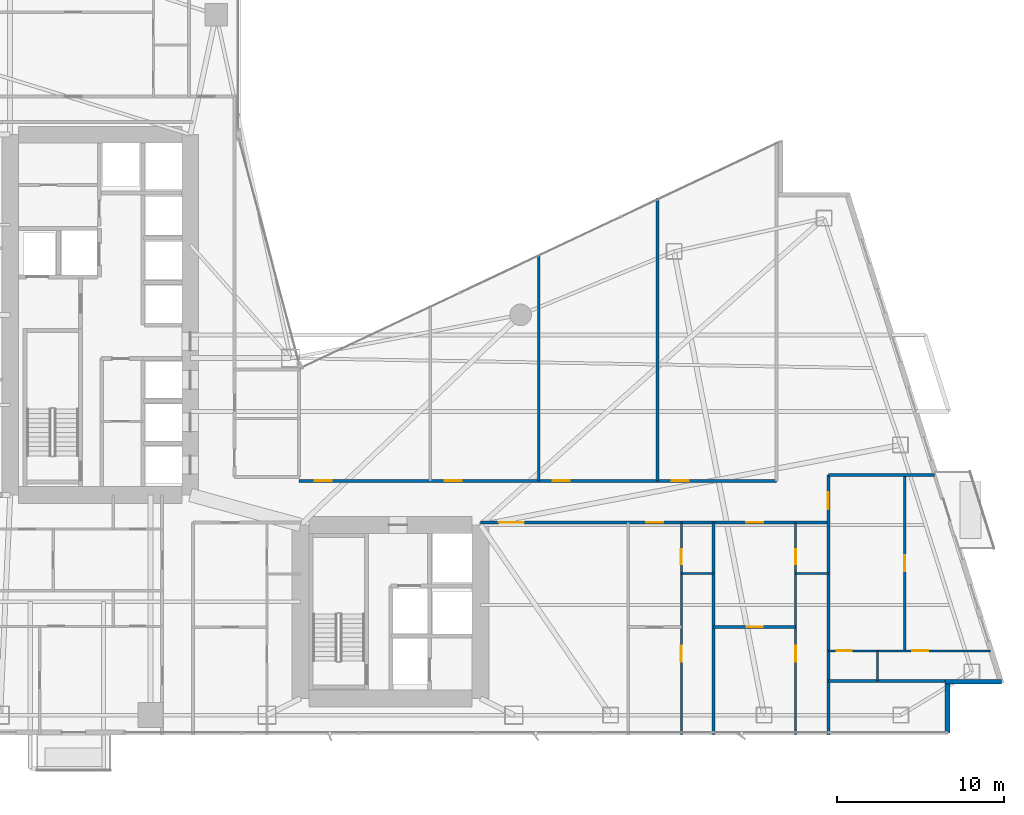
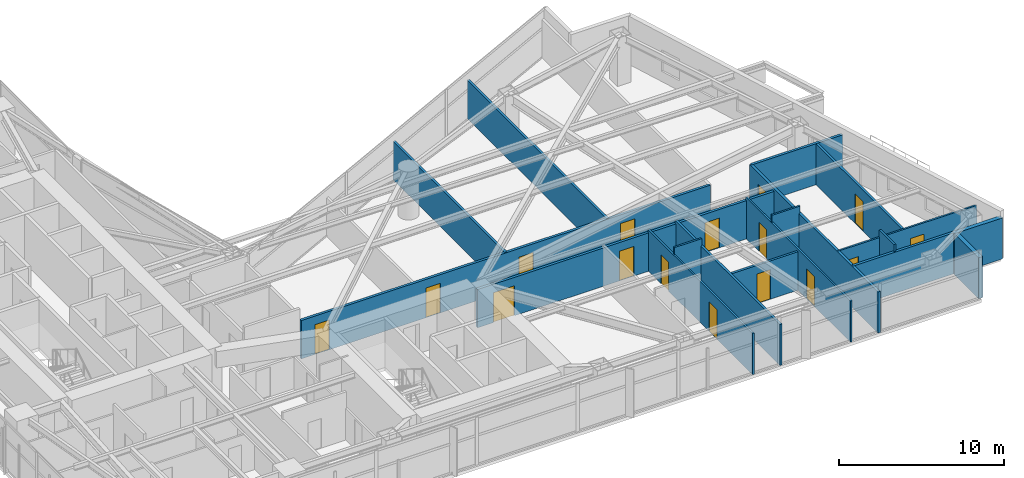
# One storey, part 24 of 29: 18 walls, 16 doors, 16 openings.
"""IFC4 building model written with IfcOpenShell, lengths in metres."""

from ifc_helpers import new_model, si_unit, direction, frame, frame_2d, origin, place, context, subcontext, project, spatial, rectangle, extrude, material, layer, layer_set, type_object, element, fill, save


model = new_model("IFC4")

# Units and contexts
model_context = context("Model", 3, precision=1e-05, world=origin(), true_north=direction((0.0, 1.0)))
body_context = subcontext(model_context, "Body", "Model", "MODEL_VIEW")
ifc_project = project(units=[si_unit("LENGTHUNIT", "METRE"), si_unit("AREAUNIT", "SQUARE_METRE"), si_unit("VOLUMEUNIT", "CUBIC_METRE"), si_unit("PLANEANGLEUNIT", "RADIAN"), si_unit("MASSUNIT", "GRAM", prefix="KILO")], contexts=[model_context])

# Site, building, storey
site_placement = place(None, origin())
site = spatial("IfcSite", under=ifc_project, at=site_placement, CompositionType="ELEMENT")
building_placement = place(site_placement, origin())
building = spatial("IfcBuilding", under=site, at=building_placement, Name="Calvorn Quay Hotel", CompositionType="ELEMENT")
storey_placement = place(building_placement, frame((0.0, 0.0, 85.0)))
storey = spatial("IfcBuildingStorey", under=building, at=storey_placement, Name="L20", CompositionType="ELEMENT", Elevation=85.0)

# Wall, openings, doors
ifc_material_1 = material(Name="Acoustic Fireboard Steel-Stud Partition", Category="steel")
ifc_layer_1 = layer(ifc_material_1, 0.179931640625)
ifc_layer_set_1 = layer_set([ifc_layer_1], Name="WL-CORR-FIRE-180")
wall_type_1 = type_object("IfcWallType", Name="WL-CORR-FIRE-180", PredefinedType="PARTITIONING", material=ifc_layer_set_1)
wall_1_placement = place(storey_placement, frame((32.39990234375, 15.14990234375, 0.0), z_axis=(0.0, 0.0, 1.0), x_axis=(1.0, 0.0, 0.0)))
wall_1 = element("IfcWall", 1, at=wall_1_placement, inside=storey, type_object=wall_type_1, Name="Partition Wall L20-WL-CORR-SE-S", PredefinedType="PARTITIONING", context=body_context, shape_type="SweptSolid", body=[
    extrude(rectangle(XDim=20.85009765625, YDim=0.179931640625, at=frame_2d((10.425048828125, 0.0))), origin(), (0.0, 0.0, 1.0), 2.840087890625),
])
opening_1_placement = place(wall_1_placement, frame((1.10009765625, 0.0, 0.0)))
opening_1 = element("IfcOpeningElement", 2, at=opening_1_placement, cuts=wall_1, Name="Opening D-L20-SEM", PredefinedType="OPENING", context=body_context, shape_type="SweptSolid", body=[
    extrude(rectangle(XDim=1.5, YDim=2.219970703125, at=frame_2d((0.75, 1.10986328125))), frame((0.0, 0.099853515625, 0.0), z_axis=(0.0, -1.0, 0.0), x_axis=(1.0, 0.0, 0.0)), (0.0, 0.0, 1.0), 0.199951171875),
])
opening_2_placement = place(wall_1_placement, frame((9.93994140625, 0.0, 0.0)))
opening_2 = element("IfcOpeningElement", 3, at=opening_2_placement, cuts=wall_1, Name="Opening D-L20-U05", PredefinedType="OPENING", context=body_context, shape_type="SweptSolid", body=[
    extrude(rectangle(XDim=1.02001953125, YDim=2.199951171875, at=frame_2d((0.510009765625, 1.10009765625))), frame((0.0, 0.099853515625, 0.0), z_axis=(0.0, -1.0, 0.0), x_axis=(1.0, 0.0, 0.0)), (0.0, 0.0, 1.0), 0.199951171875),
])
opening_3_placement = place(wall_1_placement, frame((15.919921875, 0.0, 0.0)))
opening_3 = element("IfcOpeningElement", 4, at=opening_3_placement, cuts=wall_1, Name="Opening D-L20-U06", PredefinedType="OPENING", context=body_context, shape_type="SweptSolid", body=[
    extrude(rectangle(XDim=1.02001953125, YDim=2.199951171875, at=frame_2d((0.510009765625, 1.10009765625))), frame((0.0, 0.099853515625, 0.0), z_axis=(0.0, -1.0, 0.0), x_axis=(1.0, 0.0, 0.0)), (0.0, 0.0, 1.0), 0.199951171875),
])
ifc_material_2 = material(Name="Solid-Core Walnut Veneer Hotel Fire Door")
door_type_1 = type_object("IfcDoorType", Name="DR-GUEST-ENTRY-1020", OperationType="NOTDEFINED", PredefinedType="DOOR", material=ifc_material_2)
door_1_placement = place(opening_2_placement, origin())
door_1 = element("IfcDoor", 5, at=door_1_placement, inside=storey, type_object=door_type_1, Name="South-East Unit Door U05 (L20)", OperationType="SINGLE_SWING_RIGHT", OverallHeight=2.199951171875, OverallWidth=1.02001953125, PredefinedType="DOOR", context=body_context, shape_type="SweptSolid", body=[
    extrude(rectangle(XDim=1.02001953125, YDim=2.199951171875, at=frame_2d((0.510009765625, 1.10009765625))), frame((0.0, 0.02490234375, 0.0), z_axis=(0.0, -1.0, 0.0), x_axis=(1.0, 0.0, 0.0)), (0.0, 0.0, 1.0), 0.050048828125),
])
fill(opening_2, door_1)
door_2_placement = place(opening_3_placement, origin())
door_2 = element("IfcDoor", 6, at=door_2_placement, inside=storey, type_object=door_type_1, Name="South-East Unit Door U06 (L20)", OperationType="SINGLE_SWING_LEFT", OverallHeight=2.199951171875, OverallWidth=1.02001953125, PredefinedType="DOOR", context=body_context, shape_type="SweptSolid", body=[
    extrude(rectangle(XDim=1.02001953125, YDim=2.199951171875, at=frame_2d((0.510009765625, 1.10009765625))), frame((0.0, 0.02490234375, 0.0), z_axis=(0.0, -1.0, 0.0), x_axis=(1.0, 0.0, 0.0)), (0.0, 0.0, 1.0), 0.050048828125),
])
fill(opening_3, door_2)
ifc_material_3 = material(Name="Solid-Core Walnut Double Suite Entry Door")
door_type_2 = type_object("IfcDoorType", Name="DR-SUITE-DBL-1500", OperationType="NOTDEFINED", PredefinedType="DOOR", material=ifc_material_3)
door_3_placement = place(opening_1_placement, origin())
door_3 = element("IfcDoor", 7, at=door_3_placement, inside=storey, type_object=door_type_2, Name="Conference Salon Door (L20)", OperationType="SINGLE_SWING_LEFT", OverallHeight=2.219970703125, OverallWidth=1.5, PredefinedType="DOOR", context=body_context, shape_type="SweptSolid", body=[
    extrude(rectangle(XDim=1.5, YDim=2.219970703125, at=frame_2d((0.75, 1.10986328125))), frame((0.0, 0.02490234375, 0.0), z_axis=(0.0, -1.0, 0.0), x_axis=(1.0, 0.0, 0.0)), (0.0, 0.0, 1.0), 0.050048828125),
])
fill(opening_1, door_3)

wall_2_placement = place(storey_placement, frame((21.5, 17.64990234375, 0.0), z_axis=(0.0, 0.0, 1.0), x_axis=(1.0, 0.0, 0.0)))
wall_2 = element("IfcWall", 8, at=wall_2_placement, inside=storey, type_object=wall_type_1, Name="Partition Wall L20-WL-CORR-NE-N", PredefinedType="PARTITIONING", context=body_context, shape_type="SweptSolid", body=[
    extrude(rectangle(XDim=28.64990234375, YDim=0.179931640625, at=frame_2d((14.324951171875, 0.0))), origin(), (0.0, 0.0, 1.0), 2.840087890625),
])
opening_4_placement = place(wall_2_placement, frame((0.949951171875, 0.0, 0.0)))
opening_4 = element("IfcOpeningElement", 9, at=opening_4_placement, cuts=wall_2, Name="Opening D-L20-NS1", PredefinedType="OPENING", context=body_context, shape_type="SweptSolid", body=[
    extrude(rectangle(XDim=1.02001953125, YDim=2.199951171875, at=frame_2d((0.510009765625, 1.10009765625))), frame((0.0, 0.099853515625, 0.0), z_axis=(0.0, -1.0, 0.0), x_axis=(1.0, 0.0, 0.0)), (0.0, 0.0, 1.0), 0.199951171875),
])
opening_5_placement = place(wall_2_placement, frame((8.739990234375, 0.0, 0.0)))
opening_5 = element("IfcOpeningElement", 10, at=opening_5_placement, cuts=wall_2, Name="Opening D-L20-NS2", PredefinedType="OPENING", context=body_context, shape_type="SweptSolid", body=[
    extrude(rectangle(XDim=1.02001953125, YDim=2.199951171875, at=frame_2d((0.510009765625, 1.10009765625))), frame((0.0, 0.099853515625, 0.0), z_axis=(0.0, -1.0, 0.0), x_axis=(1.0, 0.0, 0.0)), (0.0, 0.0, 1.0), 0.199951171875),
])
opening_6_placement = place(wall_2_placement, frame((15.22998046875, 0.0, 0.0)))
opening_6 = element("IfcOpeningElement", 11, at=opening_6_placement, cuts=wall_2, Name="Opening D-L20-NS3", PredefinedType="OPENING", context=body_context, shape_type="SweptSolid", body=[
    extrude(rectangle(XDim=1.02001953125, YDim=2.199951171875, at=frame_2d((0.510009765625, 1.10009765625))), frame((0.0, 0.099853515625, 0.0), z_axis=(0.0, -1.0, 0.0), x_axis=(1.0, 0.0, 0.0)), (0.0, 0.0, 1.0), 0.199951171875),
])
opening_7_placement = place(wall_2_placement, frame((22.360107421875, 0.0, 0.0)))
opening_7 = element("IfcOpeningElement", 12, at=opening_7_placement, cuts=wall_2, Name="Opening D-L20-NS4", PredefinedType="OPENING", context=body_context, shape_type="SweptSolid", body=[
    extrude(rectangle(XDim=1.02001953125, YDim=2.199951171875, at=frame_2d((0.510009765625, 1.10009765625))), frame((0.0, 0.099853515625, 0.0), z_axis=(0.0, -1.0, 0.0), x_axis=(1.0, 0.0, 0.0)), (0.0, 0.0, 1.0), 0.199951171875),
])
door_4_placement = place(opening_4_placement, origin())
door_4 = element("IfcDoor", 13, at=door_4_placement, inside=storey, type_object=door_type_1, Name="Conservatory Salon Door 1 (L20)", OperationType="SINGLE_SWING_RIGHT", OverallHeight=2.199951171875, OverallWidth=1.02001953125, PredefinedType="DOOR", context=body_context, shape_type="SweptSolid", body=[
    extrude(rectangle(XDim=1.02001953125, YDim=2.199951171875, at=frame_2d((0.510009765625, 1.10009765625))), frame((0.0, 0.02490234375, 0.0), z_axis=(0.0, -1.0, 0.0), x_axis=(1.0, 0.0, 0.0)), (0.0, 0.0, 1.0), 0.050048828125),
])
fill(opening_4, door_4)
door_5_placement = place(opening_5_placement, origin())
door_5 = element("IfcDoor", 14, at=door_5_placement, inside=storey, type_object=door_type_1, Name="Conservatory Salon Door 2 (L20)", OperationType="SINGLE_SWING_LEFT", OverallHeight=2.199951171875, OverallWidth=1.02001953125, PredefinedType="DOOR", context=body_context, shape_type="SweptSolid", body=[
    extrude(rectangle(XDim=1.02001953125, YDim=2.199951171875, at=frame_2d((0.510009765625, 1.10009765625))), frame((0.0, 0.02490234375, 0.0), z_axis=(0.0, -1.0, 0.0), x_axis=(1.0, 0.0, 0.0)), (0.0, 0.0, 1.0), 0.050048828125),
])
fill(opening_5, door_5)
door_6_placement = place(opening_6_placement, origin())
door_6 = element("IfcDoor", 15, at=door_6_placement, inside=storey, type_object=door_type_1, Name="Conservatory Salon Door 3 (L20)", OperationType="SINGLE_SWING_RIGHT", OverallHeight=2.199951171875, OverallWidth=1.02001953125, PredefinedType="DOOR", context=body_context, shape_type="SweptSolid", body=[
    extrude(rectangle(XDim=1.02001953125, YDim=2.199951171875, at=frame_2d((0.510009765625, 1.10009765625))), frame((0.0, 0.02490234375, 0.0), z_axis=(0.0, -1.0, 0.0), x_axis=(1.0, 0.0, 0.0)), (0.0, 0.0, 1.0), 0.050048828125),
])
fill(opening_6, door_6)
door_7_placement = place(opening_7_placement, origin())
door_7 = element("IfcDoor", 16, at=door_7_placement, inside=storey, type_object=door_type_1, Name="Conservatory Salon Door 4 (L20)", OperationType="SINGLE_SWING_LEFT", OverallHeight=2.199951171875, OverallWidth=1.02001953125, PredefinedType="DOOR", context=body_context, shape_type="SweptSolid", body=[
    extrude(rectangle(XDim=1.02001953125, YDim=2.199951171875, at=frame_2d((0.510009765625, 1.10009765625))), frame((0.0, 0.02490234375, 0.0), z_axis=(0.0, -1.0, 0.0), x_axis=(1.0, 0.0, 0.0)), (0.0, 0.0, 1.0), 0.050048828125),
])
fill(opening_7, door_7)

# Walls
wall_3_placement = place(storey_placement, frame((53.25, 5.659912109375, 0.0), z_axis=(0.0, 0.0, 1.0), x_axis=(1.0, 0.0, 0.0)))
element("IfcWall", 17, at=wall_3_placement, inside=storey, type_object=wall_type_1, Name="Partition Wall L20-WL-TIP-S", PredefinedType="PARTITIONING", context=body_context, shape_type="SweptSolid", body=[
    extrude(rectangle(XDim=7.14990234375, YDim=0.179931640625, at=frame_2d((3.574951171875, 0.0))), origin(), (0.0, 0.0, 1.0), 3.0400390625),
])
wall_4_placement = place(storey_placement, frame((53.25, 18.0, 0.0), z_axis=(0.0, 0.0, 1.0), x_axis=(1.0, 0.0, 0.0)))
element("IfcWall", 18, at=wall_4_placement, inside=storey, type_object=wall_type_1, Name="Partition Wall L20-WL-TIP-DIV", PredefinedType="PARTITIONING", context=body_context, shape_type="SweptSolid", body=[
    extrude(rectangle(XDim=6.3798828125, YDim=0.179931640625, at=frame_2d((3.18994140625, 0.0))), origin(), (0.0, 0.0, 1.0), 3.0400390625),
])

# Wall, opening, door
wall_5_placement = place(storey_placement, frame((53.25, 2.43994140625, 0.0), z_axis=(0.0, 0.0, 1.0), x_axis=(0.0, 1.0, 0.0)))
wall_5 = element("IfcWall", 19, at=wall_5_placement, inside=storey, type_object=wall_type_1, Name="Partition Wall L20-WL-CORR-TIP-E1", PredefinedType="PARTITIONING", context=body_context, shape_type="SweptSolid", body=[
    extrude(rectangle(XDim=15.56005859375, YDim=0.179931640625, at=frame_2d((7.780029296875, 0.0))), origin(), (0.0, 0.0, 1.0), 3.0400390625),
])
opening_8_placement = place(wall_5_placement, frame((13.510009765625, 0.0, 0.0)))
opening_8 = element("IfcOpeningElement", 20, at=opening_8_placement, cuts=wall_5, Name="Opening D-L20-U07", PredefinedType="OPENING", context=body_context, shape_type="SweptSolid", body=[
    extrude(rectangle(XDim=1.02001953125, YDim=2.199951171875, at=frame_2d((0.510009765625, 1.10009765625))), frame((0.0, 0.099853515625, 0.0), z_axis=(0.0, -1.0, 0.0), x_axis=(1.0, 0.0, 0.0)), (0.0, 0.0, 1.0), 0.199951171875),
])
door_8_placement = place(opening_8_placement, origin())
door_8 = element("IfcDoor", 21, at=door_8_placement, inside=storey, type_object=door_type_1, Name="Terrace Suite Door U07 (L20)", OperationType="SINGLE_SWING_LEFT", OverallHeight=2.199951171875, OverallWidth=1.02001953125, PredefinedType="DOOR", context=body_context, shape_type="SweptSolid", body=[
    extrude(rectangle(XDim=1.02001953125, YDim=2.199951171875, at=frame_2d((0.510009765625, 1.10009765625))), frame((0.0, 0.02490234375, 0.0), z_axis=(0.0, -1.0, 0.0), x_axis=(1.0, 0.0, 0.0)), (0.0, 0.0, 1.0), 0.050048828125),
])
fill(opening_8, door_8)

# Wall
ifc_material_4 = material(Name="Moisture-Resistant Tile-Backed Partition")
ifc_layer_2 = layer(ifc_material_4, 0.125)
ifc_layer_set_2 = layer_set([ifc_layer_2], Name="WL-ENSUITE-125")
wall_type_2 = type_object("IfcWallType", Name="WL-ENSUITE-125", PredefinedType="PARTITIONING", material=ifc_layer_set_2)
wall_6_placement = place(storey_placement, frame((44.43994140625, 12.10009765625, 0.0), z_axis=(0.0, 0.0, 1.0), x_axis=(1.0, 0.0, 0.0)))
element("IfcWall", 22, at=wall_6_placement, inside=storey, type_object=wall_type_2, Name="Partition Wall L20-WL-U05-BDV", PredefinedType="PARTITIONING", context=body_context, shape_type="SweptSolid", body=[
    extrude(rectangle(XDim=1.93017578125, YDim=0.125, at=frame_2d((0.965087890625, 0.0))), origin(), (0.0, 0.0, 1.0), 3.56005859375),
])

# Wall, openings, doors
wall_7_placement = place(storey_placement, frame((44.43994140625, 2.43994140625, 0.0), z_axis=(0.0, 0.0, 1.0), x_axis=(0.0, 1.0, 0.0)))
wall_7 = element("IfcWall", 23, at=wall_7_placement, inside=storey, type_object=wall_type_2, Name="Partition Wall L20-WL-U05-BV", PredefinedType="PARTITIONING", context=body_context, shape_type="SweptSolid", body=[
    extrude(rectangle(XDim=12.7099609375, YDim=0.125, at=frame_2d((6.35498046875, 0.0))), origin(), (0.0, 0.0, 1.0), 3.0400390625),
])
opening_9_placement = place(wall_7_placement, frame((4.35009765625, 0.0, 0.0)))
opening_9 = element("IfcOpeningElement", 24, at=opening_9_placement, cuts=wall_7, Name="Opening D-L20-S05", PredefinedType="OPENING", context=body_context, shape_type="SweptSolid", body=[
    extrude(rectangle(XDim=0.9599609375, YDim=2.199951171875, at=frame_2d((0.47998046875, 1.10009765625))), frame((0.0, 0.072509765625, 0.0), z_axis=(0.0, -1.0, 0.0), x_axis=(1.0, 0.0, 0.0)), (0.0, 0.0, 1.0), 0.14501953125),
])
opening_10_placement = place(wall_7_placement, frame((10.2099609375, 0.0, 0.0)))
opening_10 = element("IfcOpeningElement", 25, at=opening_10_placement, cuts=wall_7, Name="Opening D-L20-E05", PredefinedType="OPENING", context=body_context, shape_type="SweptSolid", body=[
    extrude(rectangle(XDim=0.89990234375, YDim=2.14990234375, at=frame_2d((0.449951171875, 1.074951171875))), frame((0.0, 0.072509765625, 0.0), z_axis=(0.0, -1.0, 0.0), x_axis=(1.0, 0.0, 0.0)), (0.0, 0.0, 1.0), 0.14501953125),
])
ifc_material_5 = material(Name="Moisture-Sealed Timber En-Suite Door", Category="wood")
door_type_3 = type_object("IfcDoorType", Name="DR-ENSUITE-900", OperationType="NOTDEFINED", PredefinedType="DOOR", material=ifc_material_5)
door_9_placement = place(opening_10_placement, origin())
door_9 = element("IfcDoor", 26, at=door_9_placement, inside=storey, type_object=door_type_3, Name="En-Suite Door 05", OperationType="SINGLE_SWING_RIGHT", OverallHeight=2.14990234375, OverallWidth=0.89990234375, PredefinedType="DOOR", context=body_context, shape_type="SweptSolid", body=[
    extrude(rectangle(XDim=0.89990234375, YDim=2.14990234375, at=frame_2d((0.449951171875, 1.074951171875))), frame((0.0, 0.02490234375, 0.0), z_axis=(0.0, -1.0, 0.0), x_axis=(1.0, 0.0, 0.0)), (0.0, 0.0, 1.0), 0.050048828125),
])
fill(opening_10, door_9)
ifc_material_6 = material(Name="Solid Timber Internal Suite Door", Category="wood")
door_type_4 = type_object("IfcDoorType", Name="DR-SUITE-INT-960", OperationType="NOTDEFINED", PredefinedType="DOOR", material=ifc_material_6)
door_10_placement = place(opening_9_placement, origin())
door_10 = element("IfcDoor", 27, at=door_10_placement, inside=storey, type_object=door_type_4, Name="Private Media Cinema Door 05", OperationType="SINGLE_SWING_LEFT", OverallHeight=2.199951171875, OverallWidth=0.9599609375, PredefinedType="DOOR", context=body_context, shape_type="SweptSolid", body=[
    extrude(rectangle(XDim=0.9599609375, YDim=2.199951171875, at=frame_2d((0.47998046875, 1.10009765625))), frame((0.0, 0.02490234375, 0.0), z_axis=(0.0, -1.0, 0.0), x_axis=(1.0, 0.0, 0.0)), (0.0, 0.0, 1.0), 0.050048828125),
])
fill(opening_9, door_10)

# Wall
wall_8_placement = place(storey_placement, frame((51.2900390625, 12.10009765625, 0.0), z_axis=(0.0, 0.0, 1.0), x_axis=(1.0, 0.0, 0.0)))
element("IfcWall", 28, at=wall_8_placement, inside=storey, type_object=wall_type_2, Name="Partition Wall L20-WL-U06-BDV", PredefinedType="PARTITIONING", context=body_context, shape_type="SweptSolid", body=[
    extrude(rectangle(XDim=1.9599609375, YDim=0.125, at=frame_2d((0.97998046875, 0.0))), origin(), (0.0, 0.0, 1.0), 3.56005859375),
])

# Wall, openings, doors
wall_9_placement = place(storey_placement, frame((51.2900390625, 2.43994140625, 0.0), z_axis=(0.0, 0.0, 1.0), x_axis=(0.0, 1.0, 0.0)))
wall_9 = element("IfcWall", 29, at=wall_9_placement, inside=storey, type_object=wall_type_2, Name="Partition Wall L20-WL-U06-BV", PredefinedType="PARTITIONING", context=body_context, shape_type="SweptSolid", body=[
    extrude(rectangle(XDim=12.7099609375, YDim=0.125, at=frame_2d((6.35498046875, 0.0))), origin(), (0.0, 0.0, 1.0), 3.0400390625),
])
opening_11_placement = place(wall_9_placement, frame((4.35009765625, 0.0, 0.0)))
opening_11 = element("IfcOpeningElement", 30, at=opening_11_placement, cuts=wall_9, Name="Opening D-L20-S06", PredefinedType="OPENING", context=body_context, shape_type="SweptSolid", body=[
    extrude(rectangle(XDim=0.9599609375, YDim=2.199951171875, at=frame_2d((0.47998046875, 1.10009765625))), frame((0.0, 0.072509765625, 0.0), z_axis=(0.0, -1.0, 0.0), x_axis=(1.0, 0.0, 0.0)), (0.0, 0.0, 1.0), 0.14501953125),
])
opening_12_placement = place(wall_9_placement, frame((10.2099609375, 0.0, 0.0)))
opening_12 = element("IfcOpeningElement", 31, at=opening_12_placement, cuts=wall_9, Name="Opening D-L20-E06", PredefinedType="OPENING", context=body_context, shape_type="SweptSolid", body=[
    extrude(rectangle(XDim=0.89990234375, YDim=2.14990234375, at=frame_2d((0.449951171875, 1.074951171875))), frame((0.0, 0.072509765625, 0.0), z_axis=(0.0, -1.0, 0.0), x_axis=(1.0, 0.0, 0.0)), (0.0, 0.0, 1.0), 0.14501953125),
])
door_11_placement = place(opening_12_placement, origin())
door_11 = element("IfcDoor", 32, at=door_11_placement, inside=storey, type_object=door_type_3, Name="En-Suite Door 06", OperationType="SINGLE_SWING_RIGHT", OverallHeight=2.14990234375, OverallWidth=0.89990234375, PredefinedType="DOOR", context=body_context, shape_type="SweptSolid", body=[
    extrude(rectangle(XDim=0.89990234375, YDim=2.14990234375, at=frame_2d((0.449951171875, 1.074951171875))), frame((0.0, 0.02490234375, 0.0), z_axis=(0.0, -1.0, 0.0), x_axis=(1.0, 0.0, 0.0)), (0.0, 0.0, 1.0), 0.050048828125),
])
fill(opening_12, door_11)
door_12_placement = place(opening_11_placement, origin())
door_12 = element("IfcDoor", 33, at=door_12_placement, inside=storey, type_object=door_type_4, Name="Private Media Cinema Door 06", OperationType="SINGLE_SWING_LEFT", OverallHeight=2.199951171875, OverallWidth=0.9599609375, PredefinedType="DOOR", context=body_context, shape_type="SweptSolid", body=[
    extrude(rectangle(XDim=0.9599609375, YDim=2.199951171875, at=frame_2d((0.47998046875, 1.10009765625))), frame((0.0, 0.02490234375, 0.0), z_axis=(0.0, -1.0, 0.0), x_axis=(1.0, 0.0, 0.0)), (0.0, 0.0, 1.0), 0.050048828125),
])
fill(opening_11, door_12)

# Wall
wall_10_placement = place(storey_placement, frame((56.199951171875, 5.659912109375, 0.0), z_axis=(0.0, 0.0, 1.0), x_axis=(0.0, 1.0, 0.0)))
element("IfcWall", 34, at=wall_10_placement, inside=storey, type_object=wall_type_2, Name="Partition Wall L20-WL-U07-BDV", PredefinedType="PARTITIONING", context=body_context, shape_type="SweptSolid", body=[
    extrude(rectangle(XDim=1.7900390625, YDim=0.125, at=frame_2d((0.89501953125, 0.0))), origin(), (0.0, 0.0, 1.0), 3.56005859375),
])

# Wall, openings, doors
wall_11_placement = place(storey_placement, frame((53.25, 7.449951171875, 0.0), z_axis=(0.0, 0.0, 1.0), x_axis=(1.0, 0.0, 0.0)))
wall_11 = element("IfcWall", 35, at=wall_11_placement, inside=storey, type_object=wall_type_2, Name="Partition Wall L20-WL-U07-BH", PredefinedType="PARTITIONING", context=body_context, shape_type="SweptSolid", body=[
    extrude(rectangle(XDim=9.7099609375, YDim=0.125, at=frame_2d((4.85498046875, 0.0))), origin(), (0.0, 0.0, 1.0), 3.0400390625),
])
opening_13_placement = place(wall_11_placement, frame((0.5, 0.0, 0.0)))
opening_13 = element("IfcOpeningElement", 36, at=opening_13_placement, cuts=wall_11, Name="Opening D-L20-E07", PredefinedType="OPENING", context=body_context, shape_type="SweptSolid", body=[
    extrude(rectangle(XDim=0.89990234375, YDim=2.14990234375, at=frame_2d((0.449951171875, 1.074951171875))), frame((0.0, 0.072509765625, 0.0), z_axis=(0.0, -1.0, 0.0), x_axis=(1.0, 0.0, 0.0)), (0.0, 0.0, 1.0), 0.14501953125),
])
opening_14_placement = place(wall_11_placement, frame((5.0400390625, 0.0, 0.0)))
opening_14 = element("IfcOpeningElement", 37, at=opening_14_placement, cuts=wall_11, Name="Opening D-L20-S07", PredefinedType="OPENING", context=body_context, shape_type="SweptSolid", body=[
    extrude(rectangle(XDim=0.9599609375, YDim=2.199951171875, at=frame_2d((0.47998046875, 1.10009765625))), frame((0.0, 0.072509765625, 0.0), z_axis=(0.0, -1.0, 0.0), x_axis=(1.0, 0.0, 0.0)), (0.0, 0.0, 1.0), 0.14501953125),
])
door_13_placement = place(opening_13_placement, origin())
door_13 = element("IfcDoor", 38, at=door_13_placement, inside=storey, type_object=door_type_3, Name="En-Suite Door 07", OperationType="SINGLE_SWING_LEFT", OverallHeight=2.14990234375, OverallWidth=0.89990234375, PredefinedType="DOOR", context=body_context, shape_type="SweptSolid", body=[
    extrude(rectangle(XDim=0.89990234375, YDim=2.14990234375, at=frame_2d((0.449951171875, 1.074951171875))), frame((0.0, 0.02490234375, 0.0), z_axis=(0.0, -1.0, 0.0), x_axis=(1.0, 0.0, 0.0)), (0.0, 0.0, 1.0), 0.050048828125),
])
fill(opening_13, door_13)
door_14_placement = place(opening_14_placement, origin())
door_14 = element("IfcDoor", 39, at=door_14_placement, inside=storey, type_object=door_type_4, Name="Private Media Cinema Door 07", OperationType="SINGLE_SWING_RIGHT", OverallHeight=2.199951171875, OverallWidth=0.9599609375, PredefinedType="DOOR", context=body_context, shape_type="SweptSolid", body=[
    extrude(rectangle(XDim=0.9599609375, YDim=2.199951171875, at=frame_2d((0.47998046875, 1.10009765625))), frame((0.0, 0.02490234375, 0.0), z_axis=(0.0, -1.0, 0.0), x_axis=(1.0, 0.0, 0.0)), (0.0, 0.0, 1.0), 0.050048828125),
])
fill(opening_14, door_14)

# Walls
ifc_material_7 = material(Name="Concrete C40", Category="concrete")
ifc_layer_3 = layer(ifc_material_7, 0.320068359375)
ifc_layer_set_3 = layer_set([ifc_layer_3], Name="WL-EXT-SPANDREL-320")
wall_type_3 = type_object("IfcWallType", Name="WL-EXT-SPANDREL-320", PredefinedType="SOLIDWALL", material=ifc_layer_set_3)
wall_12_placement = place(storey_placement, frame((60.39990234375, 2.52001953125, 0.0), z_axis=(0.0, 0.0, 1.0), x_axis=(0.0, 1.0, 0.0)))
element("IfcWall", 40, at=wall_12_placement, inside=storey, type_object=wall_type_3, Name="Notched Corner Spandrel L20-SE1", PredefinedType="SOLIDWALL", context=body_context, shape_type="SweptSolid", body=[
    extrude(rectangle(XDim=2.93994140625, YDim=0.280029296875, at=frame_2d((1.469970703125, 0.0))), origin(), (0.0, 0.0, 1.0), 3.0400390625),
])
wall_13_placement = place(storey_placement, frame((60.260009765625, 5.60009765625, 0.0), z_axis=(0.0, 0.0, 1.0), x_axis=(1.0, 0.0, 0.0)))
element("IfcWall", 41, at=wall_13_placement, inside=storey, type_object=wall_type_3, Name="Notched Corner Spandrel L20-SE2", PredefinedType="SOLIDWALL", context=body_context, shape_type="SweptSolid", body=[
    extrude(rectangle(XDim=3.3798828125, YDim=0.280029296875, at=frame_2d((1.68994140625, 0.0))), origin(), (0.0, 0.0, 1.0), 3.0400390625),
])

# Wall, opening, door
ifc_material_8 = material(Name="Double-Stud Acoustic Gypsum Partition")
ifc_layer_4 = layer(ifc_material_8, 0.159912109375)
ifc_layer_set_4 = layer_set([ifc_layer_4], Name="WL-INTERSUITE-160")
wall_type_4 = type_object("IfcWallType", Name="WL-INTERSUITE-160", PredefinedType="PARTITIONING", material=ifc_layer_set_4)
wall_14_placement = place(storey_placement, frame((46.3701171875, 8.8798828125, 0.0), z_axis=(0.0, 0.0, 1.0), x_axis=(1.0, 0.0, 0.0)))
wall_14 = element("IfcWall", 42, at=wall_14_placement, inside=storey, type_object=wall_type_4, Name="Partition Wall L20-WL-U06-MSP", PredefinedType="PARTITIONING", context=body_context, shape_type="SweptSolid", body=[
    extrude(rectangle(XDim=4.919921875, YDim=0.159912109375, at=frame_2d((2.4599609375, 0.0))), origin(), (0.0, 0.0, 1.0), 2.840087890625),
])
opening_15_placement = place(wall_14_placement, frame((1.97998046875, 0.0, 0.0)))
opening_15 = element("IfcOpeningElement", 43, at=opening_15_placement, cuts=wall_14, Name="Opening D-L20-M06", PredefinedType="OPENING", context=body_context, shape_type="SweptSolid", body=[
    extrude(rectangle(XDim=0.9599609375, YDim=2.199951171875, at=frame_2d((0.47998046875, 1.10009765625))), frame((0.0, 0.08984375, 0.0), z_axis=(0.0, -1.0, 0.0), x_axis=(1.0, 0.0, 0.0)), (0.0, 0.0, 1.0), 0.179931640625),
])
door_15_placement = place(opening_15_placement, origin())
door_15 = element("IfcDoor", 44, at=door_15_placement, inside=storey, type_object=door_type_4, Name="Suite Bedroom Door 06", OperationType="SINGLE_SWING_LEFT", OverallHeight=2.199951171875, OverallWidth=0.9599609375, PredefinedType="DOOR", context=body_context, shape_type="SweptSolid", body=[
    extrude(rectangle(XDim=0.9599609375, YDim=2.199951171875, at=frame_2d((0.47998046875, 1.10009765625))), frame((0.0, 0.02490234375, 0.0), z_axis=(0.0, -1.0, 0.0), x_axis=(1.0, 0.0, 0.0)), (0.0, 0.0, 1.0), 0.050048828125),
])
fill(opening_15, door_15)

# Walls
wall_15_placement = place(storey_placement, frame((46.3701171875, 2.43994140625, 0.0), z_axis=(0.0, 0.0, 1.0), x_axis=(0.0, 1.0, 0.0)))
element("IfcWall", 45, at=wall_15_placement, inside=storey, type_object=wall_type_4, Name="Partition Wall L20-WL-SE-DIV-2", PredefinedType="PARTITIONING", context=body_context, shape_type="SweptSolid", body=[
    extrude(rectangle(XDim=12.7099609375, YDim=0.159912109375, at=frame_2d((6.35498046875, 0.0))), origin(), (0.0, 0.0, 1.0), 3.0400390625),
])
wall_16_placement = place(storey_placement, frame((35.8798828125, 17.64990234375, 0.0), z_axis=(0.0, 0.0, 1.0), x_axis=(0.0, 1.0, 0.0)))
element("IfcWall", 46, at=wall_16_placement, inside=storey, type_object=wall_type_4, Name="Partition Wall L20-WL-NE-DIV-2", PredefinedType="PARTITIONING", context=body_context, shape_type="SweptSolid", body=[
    extrude(rectangle(XDim=13.570068359375, YDim=0.159912109375, at=frame_2d((6.78515625, 0.0))), origin(), (0.0, 0.0, 1.0), 2.840087890625),
])
wall_17_placement = place(storey_placement, frame((43.010009765625, 17.64990234375, 0.0), z_axis=(0.0, 0.0, 1.0), x_axis=(0.0, 1.0, 0.0)))
element("IfcWall", 47, at=wall_17_placement, inside=storey, type_object=wall_type_4, Name="Partition Wall L20-WL-NE-DIV-3", PredefinedType="PARTITIONING", context=body_context, shape_type="SweptSolid", body=[
    extrude(rectangle(XDim=16.940185546875, YDim=0.159912109375, at=frame_2d((8.47021484375, 0.0))), origin(), (0.0, 0.0, 1.0), 2.840087890625),
])

# Wall, opening, door
wall_18_placement = place(storey_placement, frame((57.830078125, 7.449951171875, 0.0), z_axis=(0.0, 0.0, 1.0), x_axis=(0.0, 1.0, 0.0)))
wall_18 = element("IfcWall", 48, at=wall_18_placement, inside=storey, type_object=wall_type_4, Name="Partition Wall L20-WL-U07-MSP", PredefinedType="PARTITIONING", context=body_context, shape_type="SweptSolid", body=[
    extrude(rectangle(XDim=10.550048828125, YDim=0.159912109375, at=frame_2d((5.27490234375, 0.0))), origin(), (0.0, 0.0, 1.0), 3.0400390625),
])
opening_16_placement = place(wall_18_placement, frame((4.7900390625, 0.0, 0.0)))
opening_16 = element("IfcOpeningElement", 49, at=opening_16_placement, cuts=wall_18, Name="Opening D-L20-M07", PredefinedType="OPENING", context=body_context, shape_type="SweptSolid", body=[
    extrude(rectangle(XDim=0.9599609375, YDim=2.199951171875, at=frame_2d((0.47998046875, 1.10009765625))), frame((0.0, 0.08984375, 0.0), z_axis=(0.0, -1.0, 0.0), x_axis=(1.0, 0.0, 0.0)), (0.0, 0.0, 1.0), 0.179931640625),
])
door_16_placement = place(opening_16_placement, origin())
door_16 = element("IfcDoor", 50, at=door_16_placement, inside=storey, type_object=door_type_4, Name="Suite Bedroom Door 07", OperationType="SINGLE_SWING_LEFT", OverallHeight=2.199951171875, OverallWidth=0.9599609375, PredefinedType="DOOR", context=body_context, shape_type="SweptSolid", body=[
    extrude(rectangle(XDim=0.9599609375, YDim=2.199951171875, at=frame_2d((0.47998046875, 1.10009765625))), frame((0.0, 0.02490234375, 0.0), z_axis=(0.0, -1.0, 0.0), x_axis=(1.0, 0.0, 0.0)), (0.0, 0.0, 1.0), 0.050048828125),
])
fill(opening_16, door_16)

save(model, "model.ifc")
